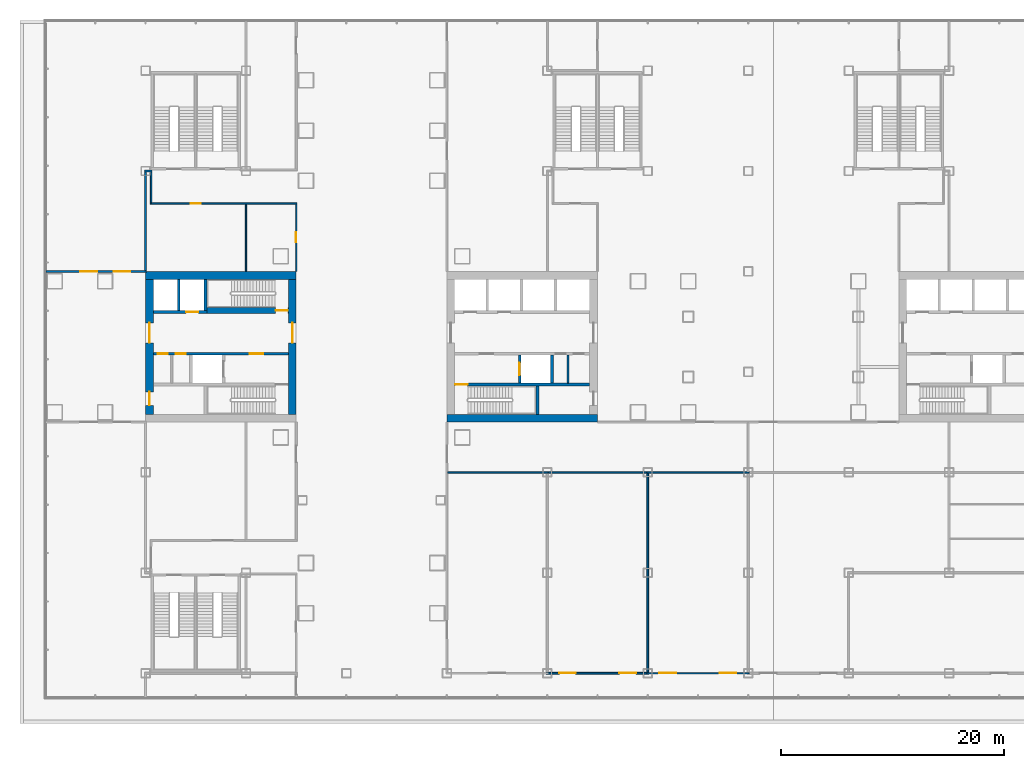
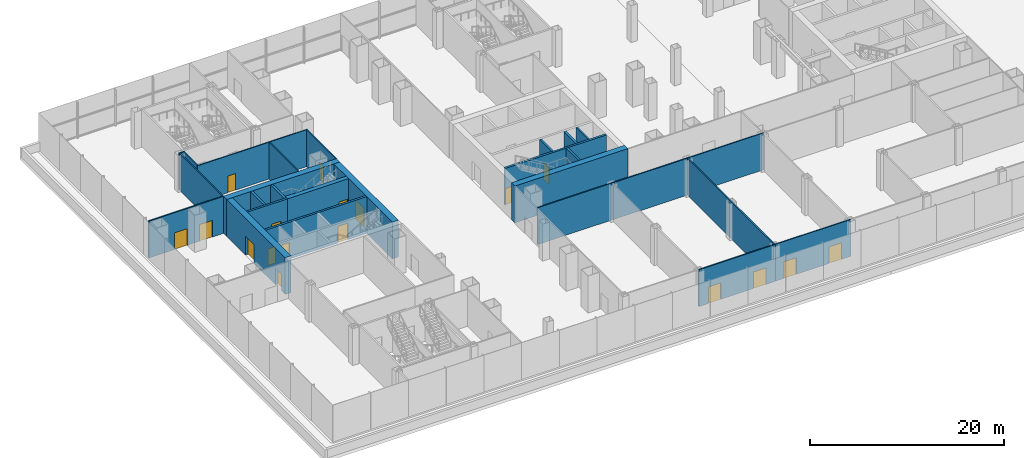
# One storey, part 18 of 30: 27 walls, 18 doors, 18 openings.
"""IFC4 building model written with IfcOpenShell, lengths in metres."""

from ifc_helpers import new_model, si_unit, direction, frame, frame_2d, origin, place, context, subcontext, project, spatial, rectangle, extrude, material, layer, layer_set, type_object, element, fill, save


model = new_model("IFC4")

# Units and contexts
model_context = context("Model", 3, precision=1e-05, world=origin(), true_north=direction((0.0, 1.0)))
body_context = subcontext(model_context, "Body", "Model", "MODEL_VIEW")
ifc_project = project(units=[si_unit("LENGTHUNIT", "METRE"), si_unit("AREAUNIT", "SQUARE_METRE"), si_unit("VOLUMEUNIT", "CUBIC_METRE"), si_unit("PLANEANGLEUNIT", "RADIAN"), si_unit("MASSUNIT", "GRAM", prefix="KILO")], contexts=[model_context])

# Site, building, storey
site_placement = place(None, origin())
site = spatial("IfcSite", under=ifc_project, at=site_placement, CompositionType="ELEMENT")
building_placement = place(site_placement, origin())
building = spatial("IfcBuilding", under=site, at=building_placement, Name="Shamsa Quay Exchange Towers", CompositionType="ELEMENT")
storey_placement = place(building_placement, frame((0.0, 0.0, 23.5)))
storey = spatial("IfcBuildingStorey", under=building, at=storey_placement, Name="L04", CompositionType="ELEMENT", Elevation=23.5)

# Walls
ifc_material_1 = material(Name="Concrete C80/95", Category="concrete")
ifc_layer_1 = layer(ifc_material_1, 0.699951171875)
ifc_layer_set_1 = layer_set([ifc_layer_1], Name="CORE WALL 700 C80/95")
wall_type_1 = type_object("IfcWallType", Name="CORE WALL 700 C80/95", PredefinedType="SHEAR", material=ifc_layer_set_1)
wall_1_placement = place(storey_placement, frame((-27.0, -6.39990234375, 0.0)))
element("IfcWall", 1, at=wall_1_placement, inside=storey, type_object=wall_type_1, Name="Core wall T1A-L04-PS", PredefinedType="SHEAR", context=body_context, shape_type="SweptSolid", body=[
    extrude(rectangle(XDim=13.5, YDim=0.699951171875, at=frame_2d((6.75, 0.0))), origin(), (0.0, 0.0, 1.0), 4.64990234375),
])
wall_2_placement = place(storey_placement, frame((-40.5, 6.39990234375, 0.0), z_axis=(0.0, 0.0, 1.0), x_axis=(-1.0, 0.0, 0.0)))
element("IfcWall", 2, at=wall_2_placement, inside=storey, type_object=wall_type_1, Name="Core wall T1B-L04-PN", PredefinedType="SHEAR", context=body_context, shape_type="SweptSolid", body=[
    extrude(rectangle(XDim=13.5, YDim=0.699951171875, at=frame_2d((6.75, 0.0))), origin(), (0.0, 0.0, 1.0), 4.64990234375),
])

# Wall, opening, door
wall_3_placement = place(storey_placement, frame((-40.85009765625, -6.050048828125, 0.0), z_axis=(0.0, 0.0, 1.0), x_axis=(0.0, 1.0, 0.0)))
wall_3 = element("IfcWall", 3, at=wall_3_placement, inside=storey, type_object=wall_type_1, Name="Core wall T1B-L04-PF", PredefinedType="SHEAR", context=body_context, shape_type="SweptSolid", body=[
    extrude(rectangle(XDim=12.10009765625, YDim=0.699951171875, at=frame_2d((6.050048828125, 0.0))), origin(), (0.0, 0.0, 1.0), 4.64990234375),
])
opening_1_placement = place(wall_3_placement, frame((6.39990234375, 0.0, 0.0)))
opening_1 = element("IfcOpeningElement", 4, at=opening_1_placement, cuts=wall_3, Name="Opening T1B-L04-LBD01", PredefinedType="OPENING", context=body_context, shape_type="SweptSolid", body=[
    extrude(rectangle(XDim=1.800048828125, YDim=2.39990234375, at=frame_2d((0.89990234375, 1.199951171875))), frame((0.0, 0.35986328125, 0.0), z_axis=(0.0, -1.0, 0.0), x_axis=(1.0, 0.0, 0.0)), (0.0, 0.0, 1.0), 0.719970703125),
])
ifc_material_2 = material(Name="Steel, fire rated", Category="steel")
door_type_1 = type_object("IfcDoorType", Name="LIFT LOBBY DOOR PAIR 1800", OperationType="DOUBLE_DOOR_SINGLE_SWING", PredefinedType="DOOR", material=ifc_material_2)
door_1_placement = place(opening_1_placement, origin())
door_1 = element("IfcDoor", 5, at=door_1_placement, inside=storey, type_object=door_type_1, Name="T1B-L04-LBD01", OperationType="DOUBLE_DOOR_SINGLE_SWING", OverallHeight=2.39990234375, OverallWidth=1.800048828125, PredefinedType="DOOR", context=body_context, shape_type="SweptSolid", body=[
    extrude(rectangle(XDim=1.800048828125, YDim=2.39990234375, at=frame_2d((0.89990234375, 1.199951171875))), frame((0.0, 0.02490234375, 0.0), z_axis=(0.0, -1.0, 0.0), x_axis=(1.0, 0.0, 0.0)), (0.0, 0.0, 1.0), 0.050048828125),
])
fill(opening_1, door_1)

# Wall, openings, doors
wall_4_placement = place(storey_placement, frame((-53.64990234375, -6.050048828125, 0.0), z_axis=(0.0, 0.0, 1.0), x_axis=(0.0, 1.0, 0.0)))
wall_4 = element("IfcWall", 6, at=wall_4_placement, inside=storey, type_object=wall_type_1, Name="Core wall T1B-L04-PB", PredefinedType="SHEAR", context=body_context, shape_type="SweptSolid", body=[
    extrude(rectangle(XDim=12.10009765625, YDim=0.699951171875, at=frame_2d((6.050048828125, 0.0))), origin(), (0.0, 0.0, 1.0), 4.64990234375),
])
opening_2_placement = place(wall_4_placement, frame((0.800048828125, 0.0, 0.0)))
opening_2 = element("IfcOpeningElement", 7, at=opening_2_placement, cuts=wall_4, Name="Opening T1B-L04-RD02", PredefinedType="OPENING", context=body_context, shape_type="SweptSolid", body=[
    extrude(rectangle(XDim=1.199951171875, YDim=2.10009765625, at=frame_2d((0.60009765625, 1.050048828125))), frame((0.0, 0.35986328125, 0.0), z_axis=(0.0, -1.0, 0.0), x_axis=(1.0, 0.0, 0.0)), (0.0, 0.0, 1.0), 0.719970703125),
])
opening_3_placement = place(wall_4_placement, frame((6.39990234375, 0.0, 0.0)))
opening_3 = element("IfcOpeningElement", 8, at=opening_3_placement, cuts=wall_4, Name="Opening T1B-L04-LBD03", PredefinedType="OPENING", context=body_context, shape_type="SweptSolid", body=[
    extrude(rectangle(XDim=1.800048828125, YDim=2.39990234375, at=frame_2d((0.89990234375, 1.199951171875))), frame((0.0, 0.35986328125, 0.0), z_axis=(0.0, -1.0, 0.0), x_axis=(1.0, 0.0, 0.0)), (0.0, 0.0, 1.0), 0.719970703125),
])
door_2_placement = place(opening_3_placement, origin())
door_2 = element("IfcDoor", 9, at=door_2_placement, inside=storey, type_object=door_type_1, Name="T1B-L04-LBD03", OperationType="DOUBLE_DOOR_SINGLE_SWING", OverallHeight=2.39990234375, OverallWidth=1.800048828125, PredefinedType="DOOR", context=body_context, shape_type="SweptSolid", body=[
    extrude(rectangle(XDim=1.800048828125, YDim=2.39990234375, at=frame_2d((0.89990234375, 1.199951171875))), frame((0.0, 0.02490234375, 0.0), z_axis=(0.0, -1.0, 0.0), x_axis=(1.0, 0.0, 0.0)), (0.0, 0.0, 1.0), 0.050048828125),
])
fill(opening_3, door_2)
door_type_2 = type_object("IfcDoorType", Name="RISER ACCESS DOOR 1200", OperationType="SINGLE_SWING_LEFT", PredefinedType="DOOR", material=ifc_material_2)
door_3_placement = place(opening_2_placement, origin())
door_3 = element("IfcDoor", 10, at=door_3_placement, inside=storey, type_object=door_type_2, Name="T1B-L04-RD02", OperationType="SINGLE_SWING_LEFT", OverallHeight=2.10009765625, OverallWidth=1.199951171875, PredefinedType="DOOR", context=body_context, shape_type="SweptSolid", body=[
    extrude(rectangle(XDim=1.199951171875, YDim=2.10009765625, at=frame_2d((0.60009765625, 1.050048828125))), frame((0.0, 0.02490234375, 0.0), z_axis=(0.0, -1.0, 0.0), x_axis=(1.0, 0.0, 0.0)), (0.0, 0.0, 1.0), 0.050048828125),
])
fill(opening_2, door_3)

# Wall
ifc_material_3 = material(Name="Gypsum board on steel studs, EI 60", Category="steel")
ifc_layer_2 = layer(ifc_material_3, 0.14990234375)
ifc_layer_set_2 = layer_set([ifc_layer_2], Name="FIRE PARTITION 150")
wall_type_2 = type_object("IfcWallType", Name="FIRE PARTITION 150", PredefinedType="PARTITIONING", material=ifc_layer_set_2)
wall_5_placement = place(storey_placement, frame((-16.14990234375, -3.25, 0.0), z_axis=(0.0, 0.0, 1.0), x_axis=(0.0, 1.0, 0.0)))
element("IfcWall", 11, at=wall_5_placement, inside=storey, type_object=wall_type_2, Name="Partition T1A-L04-EC0", PredefinedType="PARTITIONING", context=body_context, shape_type="SweptSolid", body=[
    extrude(rectangle(XDim=2.5, YDim=0.14990234375, at=frame_2d((1.25, 0.0))), origin(), (0.0, 0.0, 1.0), 4.64990234375),
])

# Wall, opening, door
ifc_material_4 = material(Name="Laminated fire-resisting glass in a metal frame", Category="glass")
ifc_layer_3 = layer(ifc_material_4, 0.125)
ifc_layer_set_3 = layer_set([ifc_layer_3], Name="Glazed partition 125 mm EI 60")
wall_type_3 = type_object("IfcWallType", Name="Glazed partition 125 mm EI 60", PredefinedType="PARTITIONING", material=ifc_layer_set_3)
wall_6_placement = place(storey_placement, frame((-40.5, 6.75, 0.0), z_axis=(0.0, 0.0, 1.0), x_axis=(0.0, 1.0, 0.0)))
wall_6 = element("IfcWall", 12, at=wall_6_placement, inside=storey, type_object=wall_type_3, Name="Partition PD-L04-W07", PredefinedType="PARTITIONING", context=body_context, shape_type="SweptSolid", body=[
    extrude(rectangle(XDim=6.037109375, YDim=0.125, at=frame_2d((3.0185546875, 0.0))), origin(), (0.0, 0.0, 1.0), 4.64990234375),
])
opening_4_placement = place(wall_6_placement, frame((2.599853515625, 0.0, 0.0)))
opening_4 = element("IfcOpeningElement", 13, at=opening_4_placement, cuts=wall_6, Name="Opening PD-L04-D10", PredefinedType="OPENING", context=body_context, shape_type="SweptSolid", body=[
    extrude(rectangle(XDim=0.89990234375, YDim=2.10009765625, at=frame_2d((0.449951171875, 1.050048828125))), frame((0.0, 0.072509765625, 0.0), z_axis=(0.0, -1.0, 0.0), x_axis=(1.0, 0.0, 0.0)), (0.0, 0.0, 1.0), 0.14501953125),
])
ifc_material_5 = material(Name="Timber door leaf in a metal frame", Category="wood")
door_type_3 = type_object("IfcDoorType", Name="Door 900x2100 FD30S", OperationType="NOTDEFINED", PredefinedType="DOOR", material=ifc_material_5)
door_4_placement = place(opening_4_placement, origin())
door_4 = element("IfcDoor", 14, at=door_4_placement, inside=storey, type_object=door_type_3, Name="Door PD-L04-D10", OperationType="SINGLE_SWING_LEFT", OverallHeight=2.10009765625, OverallWidth=0.89990234375, PredefinedType="DOOR", context=body_context, shape_type="SweptSolid", body=[
    extrude(rectangle(XDim=0.89990234375, YDim=2.10009765625, at=frame_2d((0.449951171875, 1.050048828125))), frame((0.0, 0.02490234375, 0.0), z_axis=(0.0, -1.0, 0.0), x_axis=(1.0, 0.0, 0.0)), (0.0, 0.0, 1.0), 0.050048828125),
])
fill(opening_4, door_4)

# Wall, openings, doors
wall_7_placement = place(storey_placement, frame((0.074951171875, -29.25, 0.0), z_axis=(0.0, 0.0, 1.0), x_axis=(-1.0, 0.0, 0.0)))
wall_7 = element("IfcWall", 15, at=wall_7_placement, inside=storey, type_object=wall_type_3, Name="Partition PD-L04-W24", PredefinedType="PARTITIONING", context=body_context, shape_type="SweptSolid", body=[
    extrude(rectangle(XDim=9.14990234375, YDim=0.125, at=frame_2d((4.574951171875, 0.0))), origin(), (0.0, 0.0, 1.0), 4.64990234375),
])
opening_5_placement = place(wall_7_placement, frame((1.125, 0.0, 0.0)))
opening_5 = element("IfcOpeningElement", 16, at=opening_5_placement, cuts=wall_7, Name="Opening PD-L04-D25", PredefinedType="OPENING", context=body_context, shape_type="SweptSolid", body=[
    extrude(rectangle(XDim=1.5, YDim=2.10009765625, at=frame_2d((0.75, 1.050048828125))), frame((0.0, 0.072509765625, 0.0), z_axis=(0.0, -1.0, 0.0), x_axis=(1.0, 0.0, 0.0)), (0.0, 0.0, 1.0), 0.14501953125),
])
opening_6_placement = place(wall_7_placement, frame((6.52490234375, 0.0, 0.0)))
opening_6 = element("IfcOpeningElement", 17, at=opening_6_placement, cuts=wall_7, Name="Opening PD-L04-D26", PredefinedType="OPENING", context=body_context, shape_type="SweptSolid", body=[
    extrude(rectangle(XDim=1.5, YDim=2.10009765625, at=frame_2d((0.75, 1.050048828125))), frame((0.0, 0.072509765625, 0.0), z_axis=(0.0, -1.0, 0.0), x_axis=(1.0, 0.0, 0.0)), (0.0, 0.0, 1.0), 0.14501953125),
])
door_type_4 = type_object("IfcDoorType", Name="Door 1500x2100 FD30S pair", OperationType="NOTDEFINED", PredefinedType="DOOR", material=ifc_material_5)
door_5_placement = place(opening_5_placement, origin())
door_5 = element("IfcDoor", 18, at=door_5_placement, inside=storey, type_object=door_type_4, Name="Door PD-L04-D25", OperationType="DOUBLE_DOOR_SINGLE_SWING", OverallHeight=2.10009765625, OverallWidth=1.5, PredefinedType="DOOR", context=body_context, shape_type="SweptSolid", body=[
    extrude(rectangle(XDim=1.5, YDim=2.10009765625, at=frame_2d((0.75, 1.050048828125))), frame((0.0, 0.02490234375, 0.0), z_axis=(0.0, -1.0, 0.0), x_axis=(1.0, 0.0, 0.0)), (0.0, 0.0, 1.0), 0.050048828125),
])
fill(opening_5, door_5)
door_6_placement = place(opening_6_placement, origin())
door_6 = element("IfcDoor", 19, at=door_6_placement, inside=storey, type_object=door_type_4, Name="Door PD-L04-D26", OperationType="DOUBLE_DOOR_SINGLE_SWING", OverallHeight=2.10009765625, OverallWidth=1.5, PredefinedType="DOOR", context=body_context, shape_type="SweptSolid", body=[
    extrude(rectangle(XDim=1.5, YDim=2.10009765625, at=frame_2d((0.75, 1.050048828125))), frame((0.0, 0.02490234375, 0.0), z_axis=(0.0, -1.0, 0.0), x_axis=(1.0, 0.0, 0.0)), (0.0, 0.0, 1.0), 0.050048828125),
])
fill(opening_6, door_6)

# Wall, opening, door
wall_8_placement = place(storey_placement, frame((-40.4375, 12.849609375, 0.0), z_axis=(0.0, 0.0, 1.0), x_axis=(-1.0, 0.0, 0.0)))
wall_8 = element("IfcWall", 20, at=wall_8_placement, inside=storey, type_object=wall_type_3, Name="Partition PD-L04-W36", PredefinedType="PARTITIONING", context=body_context, shape_type="SweptSolid", body=[
    extrude(rectangle(XDim=13.125, YDim=0.125, at=frame_2d((6.5625, 0.0))), origin(), (0.0, 0.0, 1.0), 4.64990234375),
])
opening_7_placement = place(wall_8_placement, frame((8.612548828125, 0.0, 0.0)))
opening_7 = element("IfcOpeningElement", 21, at=opening_7_placement, cuts=wall_8, Name="Opening PD-L04-D11", PredefinedType="OPENING", context=body_context, shape_type="SweptSolid", body=[
    extrude(rectangle(XDim=0.89990234375, YDim=2.10009765625, at=frame_2d((0.449951171875, 1.050048828125))), frame((0.0, 0.072509765625, 0.0), z_axis=(0.0, -1.0, 0.0), x_axis=(1.0, 0.0, 0.0)), (0.0, 0.0, 1.0), 0.14501953125),
])
door_7_placement = place(opening_7_placement, origin())
door_7 = element("IfcDoor", 22, at=door_7_placement, inside=storey, type_object=door_type_3, Name="Door PD-L04-D11", OperationType="SINGLE_SWING_LEFT", OverallHeight=2.10009765625, OverallWidth=0.89990234375, PredefinedType="DOOR", context=body_context, shape_type="SweptSolid", body=[
    extrude(rectangle(XDim=0.89990234375, YDim=2.10009765625, at=frame_2d((0.449951171875, 1.050048828125))), frame((0.0, 0.02490234375, 0.0), z_axis=(0.0, -1.0, 0.0), x_axis=(1.0, 0.0, 0.0)), (0.0, 0.0, 1.0), 0.050048828125),
])
fill(opening_7, door_7)

# Walls
wall_9_placement = place(storey_placement, frame((-53.5, 12.912109375, 0.0), z_axis=(0.0, 0.0, 1.0), x_axis=(0.0, 1.0, 0.0)))
element("IfcWall", 23, at=wall_9_placement, inside=storey, type_object=wall_type_3, Name="Partition PD-L04-W37", PredefinedType="PARTITIONING", context=body_context, shape_type="SweptSolid", body=[
    extrude(rectangle(XDim=2.762939453125, YDim=0.125, at=frame_2d((1.38134765625, 0.0))), origin(), (0.0, 0.0, 1.0), 4.64990234375),
])
wall_10_placement = place(storey_placement, frame((0.074951171875, -11.25, 0.0), z_axis=(0.0, 0.0, 1.0), x_axis=(-1.0, 0.0, 0.0)))
element("IfcWall", 24, at=wall_10_placement, inside=storey, type_object=wall_type_3, Name="Partition PD-L04-W78", PredefinedType="PARTITIONING", context=body_context, shape_type="SweptSolid", body=[
    extrude(rectangle(XDim=9.14990234375, YDim=0.125, at=frame_2d((4.574951171875, 0.0))), origin(), (0.0, 0.0, 1.0), 4.64990234375),
])
wall_11_placement = place(storey_placement, frame((-17.925048828125, -11.25, 0.0), z_axis=(0.0, 0.0, 1.0), x_axis=(-1.0, 0.0, 0.0)))
element("IfcWall", 25, at=wall_11_placement, inside=storey, type_object=wall_type_3, Name="Partition PD-L04-W79", PredefinedType="PARTITIONING", context=body_context, shape_type="SweptSolid", body=[
    extrude(rectangle(XDim=9.012451171875, YDim=0.125, at=frame_2d((4.50634765625, 0.0))), origin(), (0.0, 0.0, 1.0), 4.64990234375),
])
wall_12_placement = place(storey_placement, frame((-45.0, 6.75, 0.0), z_axis=(0.0, 0.0, 1.0), x_axis=(0.0, 1.0, 0.0)))
element("IfcWall", 26, at=wall_12_placement, inside=storey, type_object=wall_type_3, Name="Partition PD-L04-W87", PredefinedType="PARTITIONING", context=body_context, shape_type="SweptSolid", body=[
    extrude(rectangle(XDim=6.037109375, YDim=0.125, at=frame_2d((3.0185546875, 0.0))), origin(), (0.0, 0.0, 1.0), 4.64990234375),
])

# Wall, openings, doors
ifc_material_6 = material(Name="Gypsum board partition on metal studs")
ifc_layer_4 = layer(ifc_material_6, 0.14990234375)
ifc_layer_set_4 = layer_set([ifc_layer_4], Name="Partition 150 mm EI 60")
wall_type_4 = type_object("IfcWallType", Name="Partition 150 mm EI 60", PredefinedType="PARTITIONING", material=ifc_layer_set_4)
wall_13_placement = place(storey_placement, frame((-8.925048828125, -29.25, 0.0), z_axis=(0.0, 0.0, 1.0), x_axis=(-1.0, 0.0, 0.0)))
wall_13 = element("IfcWall", 27, at=wall_13_placement, inside=storey, type_object=wall_type_4, Name="Partition PD-L04-W23", PredefinedType="PARTITIONING", context=body_context, shape_type="SweptSolid", body=[
    extrude(rectangle(XDim=9.14990234375, YDim=0.14990234375, at=frame_2d((4.574951171875, 0.0))), origin(), (0.0, 0.0, 1.0), 4.64990234375),
])
opening_8_placement = place(wall_13_placement, frame((1.125, 0.0, 0.0)))
opening_8 = element("IfcOpeningElement", 28, at=opening_8_placement, cuts=wall_13, Name="Opening PD-L04-D23", PredefinedType="OPENING", context=body_context, shape_type="SweptSolid", body=[
    extrude(rectangle(XDim=1.5, YDim=2.10009765625, at=frame_2d((0.75, 1.050048828125))), frame((0.0, 0.0849609375, 0.0), z_axis=(0.0, -1.0, 0.0), x_axis=(1.0, 0.0, 0.0)), (0.0, 0.0, 1.0), 0.169921875),
])
opening_9_placement = place(wall_13_placement, frame((6.52490234375, 0.0, 0.0)))
opening_9 = element("IfcOpeningElement", 29, at=opening_9_placement, cuts=wall_13, Name="Opening PD-L04-D24", PredefinedType="OPENING", context=body_context, shape_type="SweptSolid", body=[
    extrude(rectangle(XDim=1.5, YDim=2.10009765625, at=frame_2d((0.75, 1.050048828125))), frame((0.0, 0.0849609375, 0.0), z_axis=(0.0, -1.0, 0.0), x_axis=(1.0, 0.0, 0.0)), (0.0, 0.0, 1.0), 0.169921875),
])
door_8_placement = place(opening_8_placement, origin())
door_8 = element("IfcDoor", 30, at=door_8_placement, inside=storey, type_object=door_type_4, Name="Door PD-L04-D23", OperationType="DOUBLE_DOOR_SINGLE_SWING", OverallHeight=2.10009765625, OverallWidth=1.5, PredefinedType="DOOR", context=body_context, shape_type="SweptSolid", body=[
    extrude(rectangle(XDim=1.5, YDim=2.10009765625, at=frame_2d((0.75, 1.050048828125))), frame((0.0, 0.02490234375, 0.0), z_axis=(0.0, -1.0, 0.0), x_axis=(1.0, 0.0, 0.0)), (0.0, 0.0, 1.0), 0.050048828125),
])
fill(opening_8, door_8)
door_9_placement = place(opening_9_placement, origin())
door_9 = element("IfcDoor", 31, at=door_9_placement, inside=storey, type_object=door_type_4, Name="Door PD-L04-D24", OperationType="DOUBLE_DOOR_SINGLE_SWING", OverallHeight=2.10009765625, OverallWidth=1.5, PredefinedType="DOOR", context=body_context, shape_type="SweptSolid", body=[
    extrude(rectangle(XDim=1.5, YDim=2.10009765625, at=frame_2d((0.75, 1.050048828125))), frame((0.0, 0.02490234375, 0.0), z_axis=(0.0, -1.0, 0.0), x_axis=(1.0, 0.0, 0.0)), (0.0, 0.0, 1.0), 0.050048828125),
])
fill(opening_9, door_9)

wall_14_placement = place(storey_placement, frame((-53.925048828125, 6.75, 0.0), z_axis=(0.0, 0.0, 1.0), x_axis=(-1.0, 0.0, 0.0)))
wall_14 = element("IfcWall", 32, at=wall_14_placement, inside=storey, type_object=wall_type_4, Name="Partition PD-L04-W27", PredefinedType="PARTITIONING", context=body_context, shape_type="SweptSolid", body=[
    extrude(rectangle(XDim=8.97998046875, YDim=0.14990234375, at=frame_2d((4.489990234375, 0.0))), origin(), (0.0, 0.0, 1.0), 4.64990234375),
])
opening_10_placement = place(wall_14_placement, frame((1.425048828125, 0.0, 0.0)))
opening_10 = element("IfcOpeningElement", 33, at=opening_10_placement, cuts=wall_14, Name="Opening PD-L04-D03", PredefinedType="OPENING", context=body_context, shape_type="SweptSolid", body=[
    extrude(rectangle(XDim=1.5, YDim=2.10009765625, at=frame_2d((0.75, 1.050048828125))), frame((0.0, 0.0849609375, 0.0), z_axis=(0.0, -1.0, 0.0), x_axis=(1.0, 0.0, 0.0)), (0.0, 0.0, 1.0), 0.169921875),
])
opening_11_placement = place(wall_14_placement, frame((4.425048828125, 0.0, 0.0)))
opening_11 = element("IfcOpeningElement", 34, at=opening_11_placement, cuts=wall_14, Name="Opening PD-L04-D04", PredefinedType="OPENING", context=body_context, shape_type="SweptSolid", body=[
    extrude(rectangle(XDim=1.5, YDim=2.10009765625, at=frame_2d((0.75, 1.050048828125))), frame((0.0, 0.0849609375, 0.0), z_axis=(0.0, -1.0, 0.0), x_axis=(1.0, 0.0, 0.0)), (0.0, 0.0, 1.0), 0.169921875),
])
door_10_placement = place(opening_10_placement, origin())
door_10 = element("IfcDoor", 35, at=door_10_placement, inside=storey, type_object=door_type_4, Name="Door PD-L04-D03", OperationType="DOUBLE_DOOR_SINGLE_SWING", OverallHeight=2.10009765625, OverallWidth=1.5, PredefinedType="DOOR", context=body_context, shape_type="SweptSolid", body=[
    extrude(rectangle(XDim=1.5, YDim=2.10009765625, at=frame_2d((0.75, 1.050048828125))), frame((0.0, 0.02490234375, 0.0), z_axis=(0.0, -1.0, 0.0), x_axis=(1.0, 0.0, 0.0)), (0.0, 0.0, 1.0), 0.050048828125),
])
fill(opening_10, door_10)
door_11_placement = place(opening_11_placement, origin())
door_11 = element("IfcDoor", 36, at=door_11_placement, inside=storey, type_object=door_type_4, Name="Door PD-L04-D04", OperationType="DOUBLE_DOOR_SINGLE_SWING", OverallHeight=2.10009765625, OverallWidth=1.5, PredefinedType="DOOR", context=body_context, shape_type="SweptSolid", body=[
    extrude(rectangle(XDim=1.5, YDim=2.10009765625, at=frame_2d((0.75, 1.050048828125))), frame((0.0, 0.02490234375, 0.0), z_axis=(0.0, -1.0, 0.0), x_axis=(1.0, 0.0, 0.0)), (0.0, 0.0, 1.0), 0.050048828125),
])
fill(opening_11, door_11)

# Walls
wall_15_placement = place(storey_placement, frame((-54.074951171875, 15.75, 0.0)))
element("IfcWall", 37, at=wall_15_placement, inside=storey, type_object=wall_type_4, Name="Partition PD-L04-W53", PredefinedType="PARTITIONING", context=body_context, shape_type="SweptSolid", body=[
    extrude(rectangle(XDim=0.637451171875, YDim=0.14990234375, at=frame_2d((0.31884765625, 0.0))), origin(), (0.0, 0.0, 1.0), 4.64990234375),
])
wall_16_placement = place(storey_placement, frame((-54.0, 6.824951171875, 0.0), z_axis=(0.0, 0.0, 1.0), x_axis=(0.0, 1.0, 0.0)))
element("IfcWall", 38, at=wall_16_placement, inside=storey, type_object=wall_type_4, Name="Partition PD-L04-W57", PredefinedType="PARTITIONING", context=body_context, shape_type="SweptSolid", body=[
    extrude(rectangle(XDim=8.85009765625, YDim=0.14990234375, at=frame_2d((4.425048828125, 0.0))), origin(), (0.0, 0.0, 1.0), 4.64990234375),
])
wall_17_placement = place(storey_placement, frame((-8.925048828125, -11.25, 0.0), z_axis=(0.0, 0.0, 1.0), x_axis=(-1.0, 0.0, 0.0)))
element("IfcWall", 39, at=wall_17_placement, inside=storey, type_object=wall_type_4, Name="Partition PD-L04-W63", PredefinedType="PARTITIONING", context=body_context, shape_type="SweptSolid", body=[
    extrude(rectangle(XDim=9.14990234375, YDim=0.14990234375, at=frame_2d((4.574951171875, 0.0))), origin(), (0.0, 0.0, 1.0), 4.64990234375),
])
wall_18_placement = place(storey_placement, frame((-9.0, -29.175048828125, 0.0), z_axis=(0.0, 0.0, 1.0), x_axis=(0.0, 1.0, 0.0)))
element("IfcWall", 40, at=wall_18_placement, inside=storey, type_object=wall_type_4, Name="Partition PD-L04-W80", PredefinedType="PARTITIONING", context=body_context, shape_type="SweptSolid", body=[
    extrude(rectangle(XDim=17.85009765625, YDim=0.14990234375, at=frame_2d((8.925048828125, 0.0))), origin(), (0.0, 0.0, 1.0), 4.64990234375),
])

# Wall, opening, door
ifc_material_7 = material(Name="Concrete C50/60", Category="concrete")
ifc_layer_5 = layer(ifc_material_7, 0.25)
ifc_layer_set_5 = layer_set([ifc_layer_5], Name="SHAFT WALL 250 C50/60")
wall_type_5 = type_object("IfcWallType", Name="SHAFT WALL 250 C50/60", PredefinedType="SHEAR", material=ifc_layer_set_5)
wall_19_placement = place(storey_placement, frame((-14.199951171875, -3.375, 0.0), z_axis=(0.0, 0.0, 1.0), x_axis=(-1.0, 0.0, 0.0)))
wall_19 = element("IfcWall", 41, at=wall_19_placement, inside=storey, type_object=wall_type_5, Name="Shaft wall T1A-L04-STL", PredefinedType="SHEAR", context=body_context, shape_type="SweptSolid", body=[
    extrude(rectangle(XDim=12.10009765625, YDim=0.25, at=frame_2d((6.050048828125, 0.0))), origin(), (0.0, 0.0, 1.0), 4.64990234375),
])
opening_12_placement = place(wall_19_placement, frame((10.949951171875, 0.0, 0.0)))
opening_12 = element("IfcOpeningElement", 42, at=opening_12_placement, cuts=wall_19, Name="Opening T1A-L04-SD04", PredefinedType="OPENING", context=body_context, shape_type="SweptSolid", body=[
    extrude(rectangle(XDim=1.10009765625, YDim=2.10009765625, at=frame_2d((0.550048828125, 1.050048828125))), frame((0.0, 0.135009765625, 0.0), z_axis=(0.0, -1.0, 0.0), x_axis=(1.0, 0.0, 0.0)), (0.0, 0.0, 1.0), 0.27001953125),
])
door_type_5 = type_object("IfcDoorType", Name="STAIR DOOR 1100", OperationType="SINGLE_SWING_LEFT", PredefinedType="DOOR", material=ifc_material_2)
door_12_placement = place(opening_12_placement, origin())
door_12 = element("IfcDoor", 43, at=door_12_placement, inside=storey, type_object=door_type_5, Name="T1A-L04-SD04", OperationType="SINGLE_SWING_RIGHT", OverallHeight=2.10009765625, OverallWidth=1.10009765625, PredefinedType="DOOR", context=body_context, shape_type="SweptSolid", body=[
    extrude(rectangle(XDim=1.10009765625, YDim=2.10009765625, at=frame_2d((0.550048828125, 1.050048828125))), frame((0.0, 0.02490234375, 0.0), z_axis=(0.0, -1.0, 0.0), x_axis=(1.0, 0.0, 0.0)), (0.0, 0.0, 1.0), 0.050048828125),
])
fill(opening_12, door_12)

# Wall
wall_20_placement = place(storey_placement, frame((-18.875, -6.050048828125, 0.0), z_axis=(0.0, 0.0, 1.0), x_axis=(0.0, 1.0, 0.0)))
element("IfcWall", 44, at=wall_20_placement, inside=storey, type_object=wall_type_5, Name="Shaft wall T1A-L04-STF", PredefinedType="SHEAR", context=body_context, shape_type="SweptSolid", body=[
    extrude(rectangle(XDim=2.550048828125, YDim=0.25, at=frame_2d((1.27490234375, 0.0))), origin(), (0.0, 0.0, 1.0), 4.64990234375),
])

# Wall, opening, door
wall_21_placement = place(storey_placement, frame((-20.47509765625, -3.25, 0.0), z_axis=(0.0, 0.0, 1.0), x_axis=(0.0, 1.0, 0.0)))
wall_21 = element("IfcWall", 45, at=wall_21_placement, inside=storey, type_object=wall_type_5, Name="Shaft wall T1A-L04-FFF", PredefinedType="SHEAR", context=body_context, shape_type="SweptSolid", body=[
    extrude(rectangle(XDim=2.5, YDim=0.25, at=frame_2d((1.25, 0.0))), origin(), (0.0, 0.0, 1.0), 4.64990234375),
])
opening_13_placement = place(wall_21_placement, frame((0.699951171875, 0.0, 0.0)))
opening_13 = element("IfcOpeningElement", 46, at=opening_13_placement, cuts=wall_21, Name="Opening T1A-L04-LDF08", PredefinedType="OPENING", context=body_context, shape_type="SweptSolid", body=[
    extrude(rectangle(XDim=1.10009765625, YDim=2.10009765625, at=frame_2d((0.550048828125, 1.050048828125))), frame((0.0, 0.135009765625, 0.0), z_axis=(0.0, -1.0, 0.0), x_axis=(1.0, 0.0, 0.0)), (0.0, 0.0, 1.0), 0.27001953125),
])
door_type_6 = type_object("IfcDoorType", Name="FIRE SERVICE LANDING DOOR 1100", OperationType="SLIDING_TO_LEFT", PredefinedType="DOOR", material=ifc_material_2)
door_13_placement = place(opening_13_placement, origin())
door_13 = element("IfcDoor", 47, at=door_13_placement, inside=storey, type_object=door_type_6, Name="T1A-L04-LDF08", OperationType="SLIDING_TO_LEFT", OverallHeight=2.10009765625, OverallWidth=1.10009765625, PredefinedType="DOOR", context=body_context, shape_type="SweptSolid", body=[
    extrude(rectangle(XDim=1.10009765625, YDim=2.10009765625, at=frame_2d((0.550048828125, 1.050048828125))), frame((0.0, 0.02490234375, 0.0), z_axis=(0.0, -1.0, 0.0), x_axis=(1.0, 0.0, 0.0)), (0.0, 0.0, 1.0), 0.050048828125),
])
fill(opening_13, door_13)

# Wall
wall_22_placement = place(storey_placement, frame((-17.574951171875, -3.25, 0.0), z_axis=(0.0, 0.0, 1.0), x_axis=(0.0, 1.0, 0.0)))
element("IfcWall", 48, at=wall_22_placement, inside=storey, type_object=wall_type_5, Name="Shaft wall T1A-L04-FFB", PredefinedType="SHEAR", context=body_context, shape_type="SweptSolid", body=[
    extrude(rectangle(XDim=2.5, YDim=0.25, at=frame_2d((1.25, 0.0))), origin(), (0.0, 0.0, 1.0), 4.64990234375),
])

# Wall, openings, doors
wall_23_placement = place(storey_placement, frame((-41.199951171875, -0.625, 0.0), z_axis=(0.0, 0.0, 1.0), x_axis=(-1.0, 0.0, 0.0)))
wall_23 = element("IfcWall", 49, at=wall_23_placement, inside=storey, type_object=wall_type_5, Name="Shaft wall T1B-L04-B", PredefinedType="SHEAR", context=body_context, shape_type="SweptSolid", body=[
    extrude(rectangle(XDim=12.10009765625, YDim=0.25, at=frame_2d((6.050048828125, 0.0))), origin(), (0.0, 0.0, 1.0), 4.64990234375),
])
opening_14_placement = place(wall_23_placement, frame((2.25, 0.0, 0.0)))
opening_14 = element("IfcOpeningElement", 50, at=opening_14_placement, cuts=wall_23, Name="Opening T1B-L04-FD05", PredefinedType="OPENING", context=body_context, shape_type="SweptSolid", body=[
    extrude(rectangle(XDim=1.199951171875, YDim=2.10009765625, at=frame_2d((0.60009765625, 1.050048828125))), frame((0.0, 0.135009765625, 0.0), z_axis=(0.0, -1.0, 0.0), x_axis=(1.0, 0.0, 0.0)), (0.0, 0.0, 1.0), 0.27001953125),
])
opening_15_placement = place(wall_23_placement, frame((9.199951171875, 0.0, 0.0)))
opening_15 = element("IfcOpeningElement", 51, at=opening_15_placement, cuts=wall_23, Name="Opening T1B-L04-SV06", PredefinedType="OPENING", context=body_context, shape_type="SweptSolid", body=[
    extrude(rectangle(XDim=0.89990234375, YDim=2.10009765625, at=frame_2d((0.449951171875, 1.050048828125))), frame((0.0, 0.135009765625, 0.0), z_axis=(0.0, -1.0, 0.0), x_axis=(1.0, 0.0, 0.0)), (0.0, 0.0, 1.0), 0.27001953125),
])
opening_16_placement = place(wall_23_placement, frame((10.824951171875, 0.0, 0.0)))
opening_16 = element("IfcOpeningElement", 52, at=opening_16_placement, cuts=wall_23, Name="Opening T1B-L04-SV07", PredefinedType="OPENING", context=body_context, shape_type="SweptSolid", body=[
    extrude(rectangle(XDim=0.89990234375, YDim=2.10009765625, at=frame_2d((0.449951171875, 1.050048828125))), frame((0.0, 0.135009765625, 0.0), z_axis=(0.0, -1.0, 0.0), x_axis=(1.0, 0.0, 0.0)), (0.0, 0.0, 1.0), 0.27001953125),
])
door_type_7 = type_object("IfcDoorType", Name="FIRE SERVICE LOBBY DOOR 1200", OperationType="SINGLE_SWING_LEFT", PredefinedType="DOOR", material=ifc_material_2)
door_14_placement = place(opening_14_placement, origin())
door_14 = element("IfcDoor", 53, at=door_14_placement, inside=storey, type_object=door_type_7, Name="T1B-L04-FD05", OperationType="SINGLE_SWING_LEFT", OverallHeight=2.10009765625, OverallWidth=1.199951171875, PredefinedType="DOOR", context=body_context, shape_type="SweptSolid", body=[
    extrude(rectangle(XDim=1.199951171875, YDim=2.10009765625, at=frame_2d((0.60009765625, 1.050048828125))), frame((0.0, 0.02490234375, 0.0), z_axis=(0.0, -1.0, 0.0), x_axis=(1.0, 0.0, 0.0)), (0.0, 0.0, 1.0), 0.050048828125),
])
fill(opening_14, door_14)
door_type_8 = type_object("IfcDoorType", Name="SERVICE ROOM DOOR 900", OperationType="SINGLE_SWING_LEFT", PredefinedType="DOOR", material=ifc_material_2)
door_15_placement = place(opening_15_placement, origin())
door_15 = element("IfcDoor", 54, at=door_15_placement, inside=storey, type_object=door_type_8, Name="T1B-L04-SV06", OperationType="SINGLE_SWING_RIGHT", OverallHeight=2.10009765625, OverallWidth=0.89990234375, PredefinedType="DOOR", context=body_context, shape_type="SweptSolid", body=[
    extrude(rectangle(XDim=0.89990234375, YDim=2.10009765625, at=frame_2d((0.449951171875, 1.050048828125))), frame((0.0, 0.02490234375, 0.0), z_axis=(0.0, -1.0, 0.0), x_axis=(1.0, 0.0, 0.0)), (0.0, 0.0, 1.0), 0.050048828125),
])
fill(opening_15, door_15)
door_16_placement = place(opening_16_placement, origin())
door_16 = element("IfcDoor", 55, at=door_16_placement, inside=storey, type_object=door_type_8, Name="T1B-L04-SV07", OperationType="SINGLE_SWING_RIGHT", OverallHeight=2.10009765625, OverallWidth=0.89990234375, PredefinedType="DOOR", context=body_context, shape_type="SweptSolid", body=[
    extrude(rectangle(XDim=0.89990234375, YDim=2.10009765625, at=frame_2d((0.449951171875, 1.050048828125))), frame((0.0, 0.02490234375, 0.0), z_axis=(0.0, -1.0, 0.0), x_axis=(1.0, 0.0, 0.0)), (0.0, 0.0, 1.0), 0.050048828125),
])
fill(opening_16, door_16)

# Wall, opening, door
wall_24_placement = place(storey_placement, frame((-48.5, 3.125, 0.0), z_axis=(0.0, 0.0, 1.0), x_axis=(-1.0, 0.0, 0.0)))
wall_24 = element("IfcWall", 56, at=wall_24_placement, inside=storey, type_object=wall_type_5, Name="Shaft wall T1B-L04-N2", PredefinedType="SHEAR", context=body_context, shape_type="SweptSolid", body=[
    extrude(rectangle(XDim=4.800048828125, YDim=0.25, at=frame_2d((2.39990234375, 0.0))), origin(), (0.0, 0.0, 1.0), 4.64990234375),
])
opening_17_placement = place(wall_24_placement, frame((0.77490234375, 0.0, 0.0)))
opening_17 = element("IfcOpeningElement", 57, at=opening_17_placement, cuts=wall_24, Name="Opening T1B-L04-LD10", PredefinedType="OPENING", context=body_context, shape_type="SweptSolid", body=[
    extrude(rectangle(XDim=1.10009765625, YDim=2.10009765625, at=frame_2d((0.550048828125, 1.050048828125))), frame((0.0, 0.135009765625, 0.0), z_axis=(0.0, -1.0, 0.0), x_axis=(1.0, 0.0, 0.0)), (0.0, 0.0, 1.0), 0.27001953125),
])
door_type_9 = type_object("IfcDoorType", Name="LANDING DOOR 1100", OperationType="SLIDING_TO_LEFT", PredefinedType="DOOR", material=ifc_material_2)
door_17_placement = place(opening_17_placement, origin())
door_17 = element("IfcDoor", 58, at=door_17_placement, inside=storey, type_object=door_type_9, Name="T1B-L04-LD10", OperationType="SLIDING_TO_LEFT", OverallHeight=2.10009765625, OverallWidth=1.10009765625, PredefinedType="DOOR", context=body_context, shape_type="SweptSolid", body=[
    extrude(rectangle(XDim=1.10009765625, YDim=2.10009765625, at=frame_2d((0.550048828125, 1.050048828125))), frame((0.0, 0.02490234375, 0.0), z_axis=(0.0, -1.0, 0.0), x_axis=(1.0, 0.0, 0.0)), (0.0, 0.0, 1.0), 0.050048828125),
])
fill(opening_17, door_17)

# Walls
for number, where, z_axis, x_axis, name in (
    (59, (-48.625, 3.25, 0.0), (0.0, 0.0, 1.0), (0.0, 1.0, 0.0), "Shaft wall T1B-L04-STF2"),
    (60, (-51.02490234375, 3.25, 0.0), (0.0, 0.0, 1.0), (0.0, 1.0, 0.0), "Shaft wall T1B-L04-D0"),
):
    element("IfcWall", number, at=place(storey_placement, frame(where, z_axis=z_axis, x_axis=x_axis)), inside=storey, type_object=wall_type_5, Name=name, PredefinedType="SHEAR", context=body_context, shape_type="SweptSolid", body=[
        extrude(rectangle(XDim=2.800048828125, YDim=0.25, at=frame_2d((1.39990234375, 0.0))), origin(), (0.0, 0.0, 1.0), 4.64990234375),
    ])

# Wall, opening, door
ifc_layer_6 = layer(ifc_material_7, 0.5)
ifc_layer_set_6 = layer_set([ifc_layer_6], Name="SHAFT WALL 500 C50/60")
wall_type_6 = type_object("IfcWallType", Name="SHAFT WALL 500 C50/60", PredefinedType="SHEAR", material=ifc_layer_set_6)
wall_25_placement = place(storey_placement, frame((-48.5, 3.25, 0.0)))
wall_25 = element("IfcWall", 61, at=wall_25_placement, inside=storey, type_object=wall_type_6, Name="Shaft wall T1B-L04-N", PredefinedType="SHEAR", context=body_context, shape_type="SweptSolid", body=[
    extrude(rectangle(XDim=7.300048828125, YDim=0.5, at=frame_2d((3.64990234375, 0.0))), origin(), (0.0, 0.0, 1.0), 4.64990234375),
])
opening_18_placement = place(wall_25_placement, frame((6.14990234375, 0.0, 0.0)))
opening_18 = element("IfcOpeningElement", 62, at=opening_18_placement, cuts=wall_25, Name="Opening T1B-L04-SD09", PredefinedType="OPENING", context=body_context, shape_type="SweptSolid", body=[
    extrude(rectangle(XDim=1.10009765625, YDim=2.10009765625, at=frame_2d((0.550048828125, 1.050048828125))), frame((0.0, 0.260009765625, 0.0), z_axis=(0.0, -1.0, 0.0), x_axis=(1.0, 0.0, 0.0)), (0.0, 0.0, 1.0), 0.52001953125),
])
door_18_placement = place(opening_18_placement, origin())
door_18 = element("IfcDoor", 63, at=door_18_placement, inside=storey, type_object=door_type_5, Name="T1B-L04-SD09", OperationType="SINGLE_SWING_RIGHT", OverallHeight=2.10009765625, OverallWidth=1.10009765625, PredefinedType="DOOR", context=body_context, shape_type="SweptSolid", body=[
    extrude(rectangle(XDim=1.10009765625, YDim=2.10009765625, at=frame_2d((0.550048828125, 1.050048828125))), frame((0.0, 0.02490234375, 0.0), z_axis=(0.0, -1.0, 0.0), x_axis=(1.0, 0.0, 0.0)), (0.0, 0.0, 1.0), 0.050048828125),
])
fill(opening_18, door_18)

save(model, "model.ifc")
